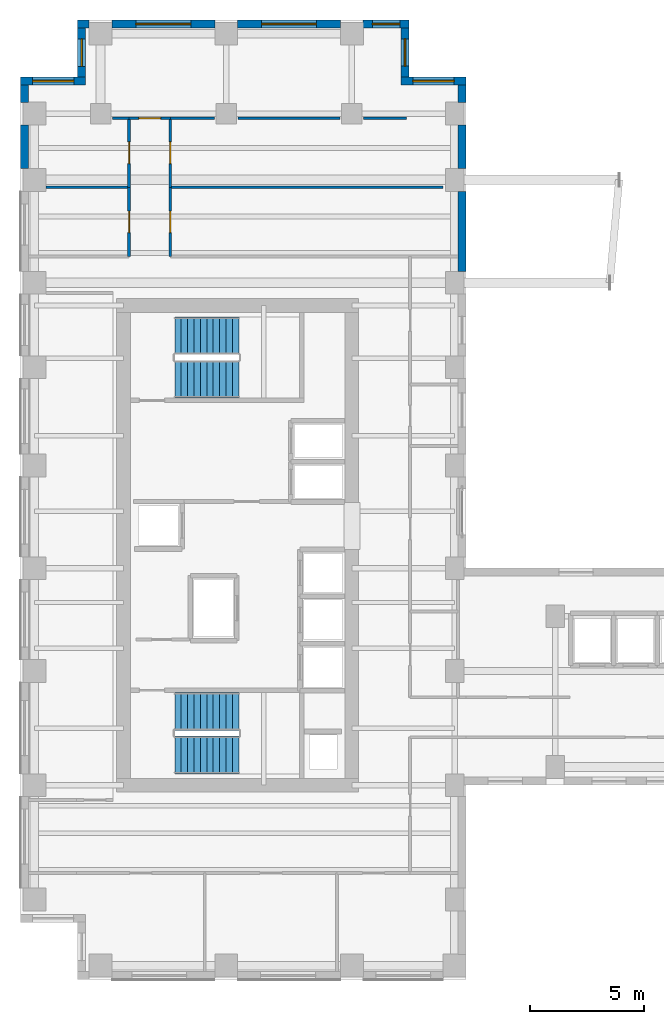
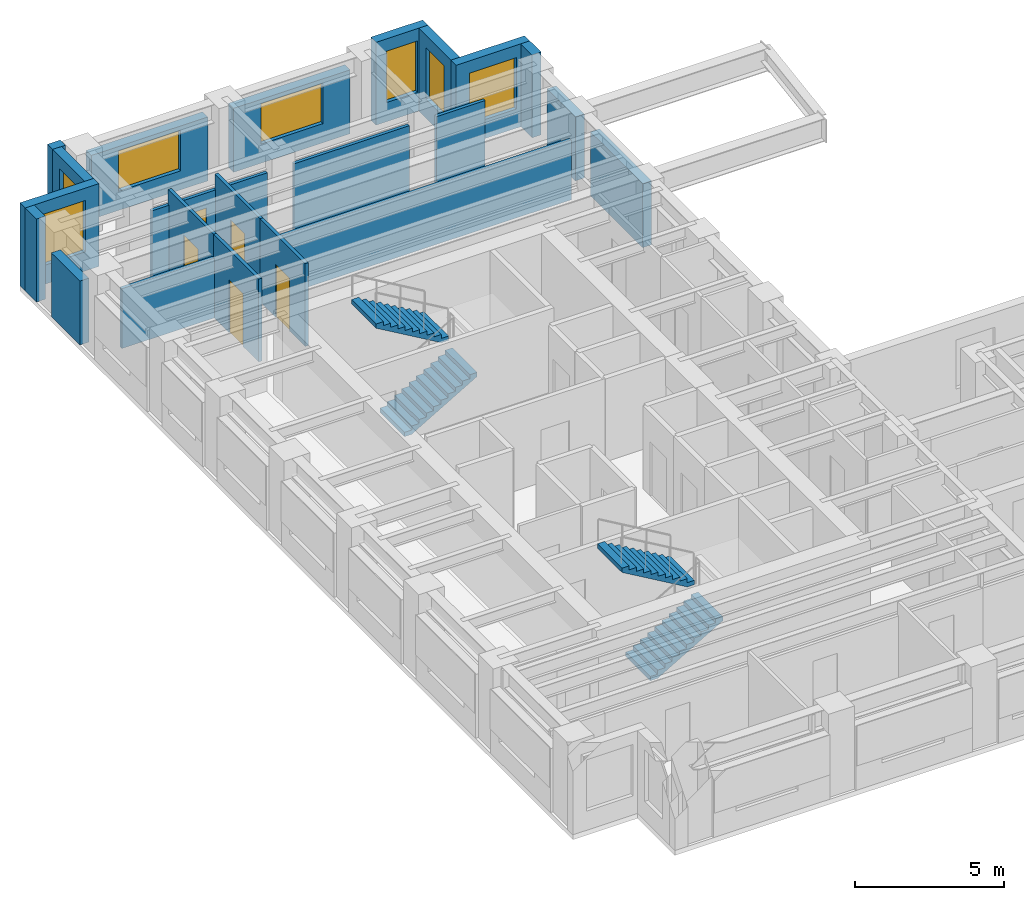
# One storey, part 11 of 14: 24 walls, 7 windows, 5 doors, 4 stair flights, 12 openings, 2 elements without a shape of their own.
"""IFC4 building model written with IfcOpenShell, lengths in metres."""

import ifcopenshell
import ifcopenshell.guid

model = None  # the IFC model being written
_history = None  # IfcOwnerHistory: only IFC2X3 demands one
_inside = {}  # id of a spatial element -> (the spatial element, [elements in it])
_under = {}  # id of a project, library or spatial element -> (it, [spatial elements below it])
_declared = {}  # id of a project -> (the project, [libraries it declares])
_typed = {}  # id of a type object -> (the type object, [elements of that type])
_made_of = {}  # id of a material, layer set ... -> (it, [elements and type objects made of it])


def new_model(schema):
    """Start an empty IFC model of exactly this schema.

    Asked for "IFC4X3", IfcOpenShell would pick the latest addendum, in which some entities
    have other attributes; the version numbers below select the first issue.
    IFC2X3 requires an IfcOwnerHistory on every rooted entity: one is made here for all.
    """
    global model, _history
    if schema == "IFC4X3":
        model = ifcopenshell.file(schema_version=(4, 3, 0, 0))
    else:
        model = ifcopenshell.file(schema=schema)
    _inside.clear()
    _under.clear()
    _declared.clear()
    _typed.clear()
    _made_of.clear()
    _history = None
    if model.schema == "IFC2X3":
        org = make("IfcOrganization", Name="unknown")
        user = make(
            "IfcPersonAndOrganization",
            ThePerson=make("IfcPerson", FamilyName="unknown"),
            TheOrganization=org,
        )
        app = make(
            "IfcApplication",
            ApplicationDeveloper=org,
            Version="unknown",
            ApplicationFullName="unknown",
            ApplicationIdentifier="unknown",
        )
        _history = make(
            "IfcOwnerHistory",
            OwningUser=user,
            OwningApplication=app,
            ChangeAction="ADDED",
            CreationDate=0,
        )
    return model


def make(cls, **values):
    """One entity of the class cls with the attributes given. An attribute that is None is left unset."""
    return model.create_entity(
        cls, **{name: value for name, value in values.items() if value is not None}
    )


def rooted(cls, **values):
    """An entity with a GlobalId (a new one), such as an element, a storey or a relation."""
    return make(cls, GlobalId=ifcopenshell.guid.new(), OwnerHistory=_history, **values)


def si_unit(unit_type, name, prefix=None):
    """IfcSIUnit, for example si_unit("LENGTHUNIT", "METRE", prefix="MILLI")."""
    return make("IfcSIUnit", UnitType=unit_type, Prefix=prefix, Name=name)


def assignment(units):
    """IfcUnitAssignment: the units of a project."""
    return None if units is None else make("IfcUnitAssignment", Units=units)


def point(xyz):
    """IfcCartesianPoint."""
    return None if xyz is None else make("IfcCartesianPoint", Coordinates=xyz)


def direction(xyz):
    """IfcDirection."""
    return None if xyz is None else make("IfcDirection", DirectionRatios=xyz)


def frame(location, z_axis=None, x_axis=None):
    """IfcAxis2Placement3D, a coordinate frame: its origin and axes. An axis left out is left unset."""
    return make(
        "IfcAxis2Placement3D",
        Location=point(location),
        Axis=direction(z_axis),
        RefDirection=direction(x_axis),
    )


def frame_2d(location, x_axis=None):
    """IfcAxis2Placement2D, a coordinate frame in the plane: its origin and x axis."""
    return make(
        "IfcAxis2Placement2D", Location=point(location), RefDirection=direction(x_axis)
    )


def origin():
    """The frame at (0, 0, 0) with its axes left unset."""
    return frame((0.0, 0.0, 0.0))


def place(relative_to, where):
    """IfcLocalPlacement: puts the frame where relative to a parent placement (None: the world)."""
    return make(
        "IfcLocalPlacement", PlacementRelTo=relative_to, RelativePlacement=where
    )


def context(
    kind, dimensions, precision=None, world=None, true_north=None, identifier=None
):
    """IfcGeometricRepresentationContext, for example the 3D "Model" context."""
    return make(
        "IfcGeometricRepresentationContext",
        ContextIdentifier=identifier,
        ContextType=kind,
        CoordinateSpaceDimension=dimensions,
        Precision=precision,
        WorldCoordinateSystem=world,
        TrueNorth=true_north,
    )


def subcontext(parent, identifier, kind, view, scale=None):
    """IfcGeometricRepresentationSubContext, for example "Body" below "Model"."""
    return make(
        "IfcGeometricRepresentationSubContext",
        ContextIdentifier=identifier,
        ContextType=kind,
        ParentContext=parent,
        TargetScale=scale,
        TargetView=view,
    )


def project(units=None, contexts=None):
    """IfcProject with its units and contexts."""
    return rooted(
        "IfcProject",
        Name="project",
        RepresentationContexts=contexts,
        UnitsInContext=assignment(units),
    )


def spatial(cls, under=None, at=None, **own):
    """A site, building, storey or space (cls), placed at a placement, below another one or the project."""
    s = rooted(cls, ObjectPlacement=at, **own)
    if under is not None:
        _under.setdefault(under.id(), (under, []))[1].append(s)
    return s


def polyline(points):
    """IfcPolyline through the points."""
    return make("IfcPolyline", Points=[point(p) for p in points])


def profile(cls, at=None, kind="AREA", **sizes):
    """A parametric profile (cls). Its sizes go by their IFC names, for example OverallWidth=200.0."""
    return make(cls, ProfileType=kind, Position=at, **sizes)


def rectangle(**sizes):
    """IfcRectangleProfileDef."""
    return profile("IfcRectangleProfileDef", **sizes)


def outline(outer, holes=None, kind="AREA"):
    """IfcArbitraryClosedProfileDef: a profile drawn as a closed curve; with holes, ...WithVoids."""
    if holes is None:
        return make("IfcArbitraryClosedProfileDef", ProfileType=kind, OuterCurve=outer)
    return make(
        "IfcArbitraryProfileDefWithVoids",
        ProfileType=kind,
        OuterCurve=outer,
        InnerCurves=holes,
    )


def extrude(swept, where, along, depth):
    """IfcExtrudedAreaSolid: the profile swept, set in the frame where, extruded along a direction by depth."""
    return make(
        "IfcExtrudedAreaSolid",
        SweptArea=swept,
        Position=where,
        ExtrudedDirection=direction(along),
        Depth=depth,
    )


def shape(context_of_items, identifier, shape_type, items):
    """IfcShapeRepresentation: the items that make up one representation, for example the "Body"."""
    return make(
        "IfcShapeRepresentation",
        ContextOfItems=context_of_items,
        RepresentationIdentifier=identifier,
        RepresentationType=shape_type,
        Items=items,
    )


def source(mapping_origin, context_of_items, identifier, shape_type, items):
    """IfcRepresentationMap: a shape defined once, which mapped items show again and again."""
    return make(
        "IfcRepresentationMap",
        MappingOrigin=mapping_origin,
        MappedRepresentation=shape(context_of_items, identifier, shape_type, items),
    )


def transform(
    local_origin,
    x_axis=None,
    y_axis=None,
    z_axis=None,
    scale=None,
    scale2=None,
    scale3=None,
    uniform=True,
):
    """IfcCartesianTransformationOperator3D, or its non-uniform kind. x_axis, y_axis, z_axis: its Axis1, 2, 3."""
    if uniform:
        return make(
            "IfcCartesianTransformationOperator3D",
            Axis1=direction(x_axis),
            Axis2=direction(y_axis),
            LocalOrigin=point(local_origin),
            Scale=scale,
            Axis3=direction(z_axis),
        )
    return make(
        "IfcCartesianTransformationOperator3DnonUniform",
        Axis1=direction(x_axis),
        Axis2=direction(y_axis),
        LocalOrigin=point(local_origin),
        Scale=scale,
        Axis3=direction(z_axis),
        Scale2=scale2,
        Scale3=scale3,
    )


def mapped(mapping_source, mapping_target):
    """IfcMappedItem: shows the shape of a source again, moved by a transform."""
    return make(
        "IfcMappedItem", MappingSource=mapping_source, MappingTarget=mapping_target
    )


def material(Name=None, Category=None):
    """IfcMaterial."""
    return make("IfcMaterial", Name=Name, Category=Category)


def layer(
    of_material, thickness, ventilated=None, Name=None, Category=None, Priority=None
):
    """IfcMaterialLayer: one layer of a wall or slab, of a material (None: an air gap)."""
    return make(
        "IfcMaterialLayer",
        Material=of_material,
        LayerThickness=thickness,
        IsVentilated=ventilated,
        Name=Name,
        Category=Category,
        Priority=Priority,
    )


def layer_set(layers, Name=None):
    """IfcMaterialLayerSet."""
    return make("IfcMaterialLayerSet", MaterialLayers=layers, LayerSetName=Name)


def made_of(thing, what):
    """Note that an element or type object is made of a material, layer set ...; save() writes the relation."""
    if what is not None:
        _made_of.setdefault(what.id(), (what, []))[1].append(thing)
    return thing


def type_object(cls, material=None, **own):
    """A type object (cls), such as IfcWallType, which elements share."""
    return made_of(rooted(cls, **own), material)


def element(
    cls,
    number,
    at=None,
    inside=None,
    cuts=None,
    type_object=None,
    material=None,
    context=None,
    identifier="Body",
    shape_type=None,
    held_by="IfcProductDefinitionShape",
    body=None,
    shapes=None,
    **own,
):
    """One element of the class cls, such as IfcWall. Its Tag is "e" and its number.

    at: its placement. inside: the storey or other place that contains it. cuts: it is an
    opening in that element (IfcRelVoidsElement). A single representation is given by context,
    identifier, shape_type and body (its items); several are given by shapes. held_by: the class
    of the entity that holds the representations. save() writes the other relations.
    """
    e = rooted(cls, Tag="e%d" % number, ObjectPlacement=at, **own)
    if body is not None:
        shapes = [shape(context, identifier, shape_type, body)]
    if shapes is not None:
        e.Representation = make(held_by, Representations=shapes)
    if inside is not None:
        _inside.setdefault(inside.id(), (inside, []))[1].append(e)
    if cuts is not None:
        rooted(
            "IfcRelVoidsElement", RelatingBuildingElement=cuts, RelatedOpeningElement=e
        )
    if type_object is not None:
        _typed.setdefault(type_object.id(), (type_object, []))[1].append(e)
    return made_of(e, material)


def fill(opening, filler):
    """IfcRelFillsElement: the door or window that sits in an opening."""
    return rooted(
        "IfcRelFillsElement",
        RelatingOpeningElement=opening,
        RelatedBuildingElement=filler,
    )


def aggregate(whole, parts):
    """IfcRelAggregates: a whole, such as a stair, and the parts it consists of."""
    return rooted("IfcRelAggregates", RelatingObject=whole, RelatedObjects=parts)


def save(model, path):
    """Write the relations noted so far, then the file.

    IfcRelAggregates (storeys below a building ...), IfcRelContainedInSpatialStructure (elements
    in a storey), IfcRelDefinesByType, IfcRelAssociatesMaterial and IfcRelDeclares: one each for
    every whole, place, type object, material and project.
    """
    for whole, parts in _under.values():
        aggregate(whole, parts)
    for where, things in _inside.values():
        rooted(
            "IfcRelContainedInSpatialStructure",
            RelatedElements=things,
            RelatingStructure=where,
        )
    for kind, things in _typed.values():
        rooted("IfcRelDefinesByType", RelatedObjects=things, RelatingType=kind)
    for what, things in _made_of.values():
        rooted("IfcRelAssociatesMaterial", RelatedObjects=things, RelatingMaterial=what)
    for by, libraries in _declared.values():
        rooted("IfcRelDeclares", RelatingContext=by, RelatedDefinitions=libraries)
    model.write(path)


model = new_model("IFC4")

# Units and contexts
model_context = context("Model", 3, precision=1e-05, world=origin(), true_north=direction((0.0, 1.0)))
body_context = subcontext(model_context, "Body", "Model", "MODEL_VIEW")
ifc_project = project(units=[si_unit("LENGTHUNIT", "METRE"), si_unit("AREAUNIT", "SQUARE_METRE"), si_unit("VOLUMEUNIT", "CUBIC_METRE"), si_unit("PLANEANGLEUNIT", "RADIAN"), si_unit("MASSUNIT", "GRAM", prefix="KILO")], contexts=[model_context])

# Site, building, storey
site_placement = place(None, origin())
site = spatial("IfcSite", under=ifc_project, at=site_placement, CompositionType="ELEMENT")
building_placement = place(site_placement, origin())
building = spatial("IfcBuilding", under=site, at=building_placement, Name="Kharzan Plaza Tower", CompositionType="ELEMENT")
storey_placement = place(building_placement, frame((0.0, 0.0, 168.300048828125)))
storey = spatial("IfcBuildingStorey", under=building, at=storey_placement, Name="L45", CompositionType="ELEMENT", Elevation=168.300048828125)

# Wall, opening, window
ifc_material_1 = material(Name="Concrete C40/50", Category="concrete")
ifc_layer_1 = layer(ifc_material_1, 0.35009765625)
ifc_layer_set_1 = layer_set([ifc_layer_1], Name="Concrete C40/50")
wall_type_1 = type_object("IfcWallType", Name="WL-EXT-MAS-Z3", PredefinedType="SOLIDWALL", material=ifc_layer_set_1)
wall_1_placement = place(storey_placement, frame((19.5, 39.324951171875, 0.0), z_axis=(0.0, 0.0, 1.0), x_axis=(-1.0, 0.0, 0.0)))
wall_1 = element("IfcWall", 1, at=wall_1_placement, inside=storey, type_object=wall_type_1, Name="L45 Masonry-Frame Exterior Wall 01", PredefinedType="SOLIDWALL", context=body_context, shape_type="SweptSolid", body=[
    extrude(rectangle(XDim=2.85009765625, YDim=0.35009765625, at=frame_2d((1.425048828125, 0.0))), origin(), (0.0, 0.0, 1.0), 3.385009765625),
])
opening_1_placement = place(wall_1_placement, frame((0.52490234375, 0.0, 0.780029296875)))
opening_1 = element("IfcOpeningElement", 2, at=opening_1_placement, cuts=wall_1, Name="Opening W1", PredefinedType="OPENING", context=body_context, shape_type="SweptSolid", body=[
    extrude(rectangle(XDim=1.800048828125, YDim=2.10009765625, at=frame_2d((0.89990234375, 1.050048828125))), frame((0.0, 0.18505859375, 0.0), z_axis=(0.0, -1.0, 0.0), x_axis=(1.0, 0.0, 0.0)), (0.0, 0.0, 1.0), 0.3701171875),
])
ifc_material_2 = material(Name="Low-E Double Glazing", Category="glass")
window_type_1 = type_object("IfcWindowType", Name="WN-REC-1800x2100", PartitioningType="SINGLE_PANEL", PredefinedType="WINDOW", material=ifc_material_2)
shared_shape_1 = source(origin(), body_context, "Body", "SweptSolid", [
    extrude(rectangle(XDim=1.800048828125, YDim=2.10009765625, at=frame_2d((0.89990234375, 1.050048828125))), frame((0.0, 0.030029296875, 0.0), z_axis=(0.0, -1.0, 0.0), x_axis=(1.0, 0.0, 0.0)), (0.0, 0.0, 1.0), 0.06005859375),
])
window_1_placement = place(opening_1_placement, origin())
window_1 = element("IfcWindow", 3, at=window_1_placement, inside=storey, type_object=window_type_1, Name="L45 Recessed Solar-Control Window 01-1", OverallHeight=2.10009765625, OverallWidth=1.800048828125, PartitioningType="SINGLE_PANEL", PredefinedType="WINDOW", context=body_context, shape_type="MappedRepresentation", body=[
    mapped(shared_shape_1, transform((0.0, 0.0, 0.0), x_axis=(1.0, 0.0, 0.0), y_axis=(0.0, 1.0, 0.0), z_axis=(0.0, 0.0, 1.0))),
])
fill(opening_1, window_1)

wall_2_placement = place(storey_placement, frame((16.824951171875, 39.498046875, 0.0), z_axis=(0.0, 0.0, 1.0), x_axis=(0.0, 1.0, 0.0)))
wall_2 = element("IfcWall", 4, at=wall_2_placement, inside=storey, type_object=wall_type_1, Name="L45 Masonry-Frame Exterior Wall 02", PredefinedType="SOLIDWALL", context=body_context, shape_type="SweptSolid", body=[
    extrude(rectangle(XDim=2.154052734375, YDim=0.35009765625, at=frame_2d((1.0771484375, 0.0))), origin(), (0.0, 0.0, 1.0), 3.385009765625),
])
opening_2_placement = place(wall_2_placement, frame((0.47705078125, 0.0, 0.780029296875)))
opening_2 = element("IfcOpeningElement", 5, at=opening_2_placement, cuts=wall_2, Name="Opening W3", PredefinedType="OPENING", context=body_context, shape_type="SweptSolid", body=[
    extrude(rectangle(XDim=1.199951171875, YDim=2.10009765625, at=frame_2d((0.60009765625, 1.050048828125))), frame((0.0, 0.18505859375, 0.0), z_axis=(0.0, -1.0, 0.0), x_axis=(1.0, 0.0, 0.0)), (0.0, 0.0, 1.0), 0.3701171875),
])
window_type_2 = type_object("IfcWindowType", Name="WN-REC-1200x2100", PartitioningType="SINGLE_PANEL", PredefinedType="WINDOW", material=ifc_material_2)
shared_shape_2 = source(origin(), body_context, "Body", "SweptSolid", [
    extrude(rectangle(XDim=1.199951171875, YDim=2.10009765625, at=frame_2d((0.60009765625, 1.050048828125))), frame((0.0, 0.030029296875, 0.0), z_axis=(0.0, -1.0, 0.0), x_axis=(1.0, 0.0, 0.0)), (0.0, 0.0, 1.0), 0.06005859375),
])
window_2_placement = place(opening_2_placement, origin())
window_2 = element("IfcWindow", 6, at=window_2_placement, inside=storey, type_object=window_type_2, Name="L45 Recessed Solar-Control Window 02-1", OverallHeight=2.10009765625, OverallWidth=1.199951171875, PartitioningType="SINGLE_PANEL", PredefinedType="WINDOW", context=body_context, shape_type="MappedRepresentation", body=[
    mapped(shared_shape_2, transform((0.0, 0.0, 0.0), x_axis=(1.0, 0.0, 0.0), y_axis=(0.0, 1.0, 0.0), z_axis=(0.0, 0.0, 1.0))),
])
fill(opening_2, window_2)

wall_3_placement = place(storey_placement, frame((17.0, 41.824951171875, 0.0), z_axis=(0.0, 0.0, 1.0), x_axis=(-1.0, 0.0, 0.0)))
wall_3 = element("IfcWall", 7, at=wall_3_placement, inside=storey, type_object=wall_type_1, Name="L45 Masonry-Frame Exterior Wall 03", PredefinedType="SOLIDWALL", context=body_context, shape_type="SweptSolid", body=[
    extrude(rectangle(XDim=2.001953125, YDim=0.35009765625, at=frame_2d((1.0009765625, 0.0))), origin(), (0.0, 0.0, 1.0), 3.385009765625),
])
opening_3_placement = place(wall_3_placement, frame((0.40087890625, 0.0, 0.780029296875)))
opening_3 = element("IfcOpeningElement", 8, at=opening_3_placement, cuts=wall_3, Name="Opening W3", PredefinedType="OPENING", context=body_context, shape_type="SweptSolid", body=[
    extrude(rectangle(XDim=1.199951171875, YDim=2.10009765625, at=frame_2d((0.60009765625, 1.050048828125))), frame((0.0, 0.18505859375, 0.0), z_axis=(0.0, -1.0, 0.0), x_axis=(1.0, 0.0, 0.0)), (0.0, 0.0, 1.0), 0.3701171875),
])
window_3_placement = place(opening_3_placement, origin())
window_3 = element("IfcWindow", 9, at=window_3_placement, inside=storey, type_object=window_type_2, Name="L45 Recessed Solar-Control Window 03-1", OverallHeight=2.10009765625, OverallWidth=1.199951171875, PartitioningType="SINGLE_PANEL", PredefinedType="WINDOW", context=body_context, shape_type="MappedRepresentation", body=[
    mapped(shared_shape_2, transform((0.0, 0.0, 0.0), x_axis=(1.0, 0.0, 0.0), y_axis=(0.0, 1.0, 0.0), z_axis=(0.0, 0.0, 1.0))),
])
fill(opening_3, window_3)

wall_4_placement = place(storey_placement, frame((14.001953125, 41.824951171875, 0.0), z_axis=(0.0, 0.0, 1.0), x_axis=(-1.0, 0.0, 0.0)))
wall_4 = element("IfcWall", 10, at=wall_4_placement, inside=storey, type_object=wall_type_1, Name="L45 Masonry-Frame Exterior Wall 04", PredefinedType="SOLIDWALL", context=body_context, shape_type="SweptSolid", body=[
    extrude(rectangle(XDim=4.50390625, YDim=0.35009765625, at=frame_2d((2.251953125, 0.0))), origin(), (0.0, 0.0, 1.0), 2.612060546875),
])
opening_4_placement = place(wall_4_placement, frame((1.052001953125, 0.0, 0.780029296875)))
opening_4 = element("IfcOpeningElement", 11, at=opening_4_placement, cuts=wall_4, Name="Opening W2", PredefinedType="OPENING", context=body_context, shape_type="SweptSolid", body=[
    extrude(rectangle(XDim=2.39990234375, YDim=1.652099609375, at=frame_2d((1.199951171875, 0.826171875))), frame((0.0, 0.18505859375, 0.0), z_axis=(0.0, -1.0, 0.0), x_axis=(1.0, 0.0, 0.0)), (0.0, 0.0, 1.0), 0.3701171875),
])
window_type_3 = type_object("IfcWindowType", Name="WN-REC-2400x2100", PartitioningType="SINGLE_PANEL", PredefinedType="WINDOW", material=ifc_material_2)
shared_shape_3 = source(origin(), body_context, "Body", "SweptSolid", [
    extrude(rectangle(XDim=2.39990234375, YDim=1.652099609375, at=frame_2d((1.199951171875, 0.826171875))), frame((0.0, 0.030029296875, 0.0), z_axis=(0.0, -1.0, 0.0), x_axis=(1.0, 0.0, 0.0)), (0.0, 0.0, 1.0), 0.06005859375),
])
window_4_placement = place(opening_4_placement, origin())
window_4 = element("IfcWindow", 12, at=window_4_placement, inside=storey, type_object=window_type_3, Name="L45 Wide Recessed Solar-Control Window 04-1", OverallHeight=1.652099609375, OverallWidth=2.39990234375, PartitioningType="SINGLE_PANEL", PredefinedType="WINDOW", context=body_context, shape_type="MappedRepresentation", body=[
    mapped(shared_shape_3, transform((0.0, 0.0, 0.0), x_axis=(1.0, 0.0, 0.0), y_axis=(0.0, 1.0, 0.0), z_axis=(0.0, 0.0, 1.0))),
])
fill(opening_4, window_4)

wall_5_placement = place(storey_placement, frame((8.501953125, 41.824951171875, 0.0), z_axis=(0.0, 0.0, 1.0), x_axis=(-1.0, 0.0, 0.0)))
wall_5 = element("IfcWall", 13, at=wall_5_placement, inside=storey, type_object=wall_type_1, Name="L45 Masonry-Frame Exterior Wall 05", PredefinedType="SOLIDWALL", context=body_context, shape_type="SweptSolid", body=[
    extrude(rectangle(XDim=4.50390625, YDim=0.35009765625, at=frame_2d((2.251953125, 0.0))), origin(), (0.0, 0.0, 1.0), 2.612060546875),
])
opening_5_placement = place(wall_5_placement, frame((1.052001953125, 0.0, 0.780029296875)))
opening_5 = element("IfcOpeningElement", 14, at=opening_5_placement, cuts=wall_5, Name="Opening W2", PredefinedType="OPENING", context=body_context, shape_type="SweptSolid", body=[
    extrude(rectangle(XDim=2.39990234375, YDim=1.652099609375, at=frame_2d((1.199951171875, 0.826171875))), frame((0.0, 0.18505859375, 0.0), z_axis=(0.0, -1.0, 0.0), x_axis=(1.0, 0.0, 0.0)), (0.0, 0.0, 1.0), 0.3701171875),
])
window_5_placement = place(opening_5_placement, origin())
window_5 = element("IfcWindow", 15, at=window_5_placement, inside=storey, type_object=window_type_3, Name="L45 Wide Recessed Solar-Control Window 05-1", OverallHeight=1.652099609375, OverallWidth=2.39990234375, PartitioningType="SINGLE_PANEL", PredefinedType="WINDOW", context=body_context, shape_type="MappedRepresentation", body=[
    mapped(shared_shape_3, transform((0.0, 0.0, 0.0), x_axis=(1.0, 0.0, 0.0), y_axis=(0.0, 1.0, 0.0), z_axis=(0.0, 0.0, 1.0))),
])
fill(opening_5, window_5)

wall_6_placement = place(storey_placement, frame((2.675048828125, 41.652099609375, 0.0), z_axis=(0.0, 0.0, 1.0), x_axis=(0.0, -1.0, 0.0)))
wall_6 = element("IfcWall", 16, at=wall_6_placement, inside=storey, type_object=wall_type_1, Name="L45 Masonry-Frame Exterior Wall 07", PredefinedType="SOLIDWALL", context=body_context, shape_type="SweptSolid", body=[
    extrude(rectangle(XDim=2.154052734375, YDim=0.35009765625, at=frame_2d((1.0771484375, 0.0))), origin(), (0.0, 0.0, 1.0), 3.385009765625),
])
opening_6_placement = place(wall_6_placement, frame((0.47705078125, 0.0, 0.780029296875)))
opening_6 = element("IfcOpeningElement", 17, at=opening_6_placement, cuts=wall_6, Name="Opening W3", PredefinedType="OPENING", context=body_context, shape_type="SweptSolid", body=[
    extrude(rectangle(XDim=1.199951171875, YDim=2.10009765625, at=frame_2d((0.60009765625, 1.050048828125))), frame((0.0, 0.18505859375, 0.0), z_axis=(0.0, -1.0, 0.0), x_axis=(1.0, 0.0, 0.0)), (0.0, 0.0, 1.0), 0.3701171875),
])
window_6_placement = place(opening_6_placement, origin())
window_6 = element("IfcWindow", 18, at=window_6_placement, inside=storey, type_object=window_type_2, Name="L45 Recessed Solar-Control Window 07-1", OverallHeight=2.10009765625, OverallWidth=1.199951171875, PartitioningType="SINGLE_PANEL", PredefinedType="WINDOW", context=body_context, shape_type="MappedRepresentation", body=[
    mapped(shared_shape_2, transform((0.0, 0.0, 0.0), x_axis=(1.0, 0.0, 0.0), y_axis=(0.0, 1.0, 0.0), z_axis=(0.0, 0.0, 1.0))),
])
fill(opening_6, window_6)

wall_7_placement = place(storey_placement, frame((2.85009765625, 39.324951171875, 0.0), z_axis=(0.0, 0.0, 1.0), x_axis=(-1.0, 0.0, 0.0)))
wall_7 = element("IfcWall", 19, at=wall_7_placement, inside=storey, type_object=wall_type_1, Name="L45 Masonry-Frame Exterior Wall 08", PredefinedType="SOLIDWALL", context=body_context, shape_type="SweptSolid", body=[
    extrude(rectangle(XDim=2.85009765625, YDim=0.35009765625, at=frame_2d((1.425048828125, 0.0))), origin(), (0.0, 0.0, 1.0), 3.385009765625),
])
opening_7_placement = place(wall_7_placement, frame((0.52490234375, 0.0, 0.780029296875)))
opening_7 = element("IfcOpeningElement", 20, at=opening_7_placement, cuts=wall_7, Name="Opening W1", PredefinedType="OPENING", context=body_context, shape_type="SweptSolid", body=[
    extrude(rectangle(XDim=1.800048828125, YDim=2.10009765625, at=frame_2d((0.89990234375, 1.050048828125))), frame((0.0, 0.18505859375, 0.0), z_axis=(0.0, -1.0, 0.0), x_axis=(1.0, 0.0, 0.0)), (0.0, 0.0, 1.0), 0.3701171875),
])
window_7_placement = place(opening_7_placement, origin())
window_7 = element("IfcWindow", 21, at=window_7_placement, inside=storey, type_object=window_type_1, Name="L45 Recessed Solar-Control Window 08-1", OverallHeight=2.10009765625, OverallWidth=1.800048828125, PartitioningType="SINGLE_PANEL", PredefinedType="WINDOW", context=body_context, shape_type="MappedRepresentation", body=[
    mapped(shared_shape_1, transform((0.0, 0.0, 0.0), x_axis=(1.0, 0.0, 0.0), y_axis=(0.0, 1.0, 0.0), z_axis=(0.0, 0.0, 1.0))),
])
fill(opening_7, window_7)

# Wall, opening, door
ifc_material_3 = material(Name="Fire-Rated Gypsum Board Partition", Category="gypsum")
ifc_layer_2 = layer(ifc_material_3, 0.125)
ifc_layer_set_2 = layer_set([ifc_layer_2], Name="Fire-Rated Gypsum Board Partition")
wall_type_2 = type_object("IfcWallType", Name="WL-INT-PART-125", PredefinedType="PARTITIONING", material=ifc_layer_set_2)
wall_8_placement = place(storey_placement, frame((6.550048828125, 31.64990234375, 0.0), z_axis=(0.0, 0.0, 1.0), x_axis=(0.0, 1.0, 0.0)))
wall_8 = element("IfcWall", 22, at=wall_8_placement, inside=storey, type_object=wall_type_2, Name="L45 Interior Partition SH-SPE-1", PredefinedType="PARTITIONING", context=body_context, shape_type="SweptSolid", body=[
    extrude(rectangle(XDim=3.025146484375, YDim=0.125, at=frame_2d((1.5126953125, 0.0))), origin(), (0.0, 0.0, 1.0), 3.385009765625),
])
opening_8_placement = place(wall_8_placement, frame((1.03759765625, 0.0, 0.0)))
opening_8 = element("IfcOpeningElement", 23, at=opening_8_placement, cuts=wall_8, Name="Opening OD1", PredefinedType="OPENING", context=body_context, shape_type="SweptSolid", body=[
    extrude(rectangle(XDim=0.949951171875, YDim=2.14990234375, at=frame_2d((0.47509765625, 1.074951171875))), frame((0.0, 0.072509765625, 0.0), z_axis=(0.0, -1.0, 0.0), x_axis=(1.0, 0.0, 0.0)), (0.0, 0.0, 1.0), 0.14501953125),
])
ifc_material_4 = material(Name="Acoustic Solid-Core Stained Oak", Category="timber")
door_type = type_object("IfcDoorType", Name="DR-OFF-SINGLE", OperationType="NOTDEFINED", PredefinedType="DOOR", material=ifc_material_4)
shared_shape_4 = source(origin(), body_context, "Body", "SweptSolid", [
    extrude(rectangle(XDim=0.949951171875, YDim=2.14990234375, at=frame_2d((0.47509765625, 1.074951171875))), frame((0.0, 0.02490234375, 0.0), z_axis=(0.0, -1.0, 0.0), x_axis=(1.0, 0.0, 0.0)), (0.0, 0.0, 1.0), 0.050048828125),
])
door_1_placement = place(opening_8_placement, origin())
door_1 = element("IfcDoor", 24, at=door_1_placement, inside=storey, type_object=door_type, Name="L45 Maritime Simulation Studio Door", OperationType="SINGLE_SWING_RIGHT", OverallHeight=2.14990234375, OverallWidth=0.949951171875, PredefinedType="DOOR", context=body_context, shape_type="MappedRepresentation", body=[
    mapped(shared_shape_4, transform((0.0, 0.0, 0.0), x_axis=(1.0, 0.0, 0.0), y_axis=(0.0, 1.0, 0.0), z_axis=(0.0, 0.0, 1.0))),
])
fill(opening_8, door_1)

wall_9_placement = place(storey_placement, frame((6.550048828125, 34.675048828125, 0.0), z_axis=(0.0, 0.0, 1.0), x_axis=(0.0, 1.0, 0.0)))
wall_9 = element("IfcWall", 25, at=wall_9_placement, inside=storey, type_object=wall_type_2, Name="L45 Interior Partition SH-SPE-2", PredefinedType="PARTITIONING", context=body_context, shape_type="SweptSolid", body=[
    extrude(rectangle(XDim=3.02490234375, YDim=0.125, at=frame_2d((1.512451171875, 0.0))), origin(), (0.0, 0.0, 1.0), 3.385009765625),
])
opening_9_placement = place(wall_9_placement, frame((1.03759765625, 0.0, 0.0)))
opening_9 = element("IfcOpeningElement", 26, at=opening_9_placement, cuts=wall_9, Name="Opening OD1", PredefinedType="OPENING", context=body_context, shape_type="SweptSolid", body=[
    extrude(rectangle(XDim=0.949951171875, YDim=2.14990234375, at=frame_2d((0.47509765625, 1.074951171875))), frame((0.0, 0.072509765625, 0.0), z_axis=(0.0, -1.0, 0.0), x_axis=(1.0, 0.0, 0.0)), (0.0, 0.0, 1.0), 0.14501953125),
])
door_2_placement = place(opening_9_placement, origin())
door_2 = element("IfcDoor", 27, at=door_2_placement, inside=storey, type_object=door_type, Name="L45 Maritime Simulation Studio Door", OperationType="SINGLE_SWING_LEFT", OverallHeight=2.14990234375, OverallWidth=0.949951171875, PredefinedType="DOOR", context=body_context, shape_type="MappedRepresentation", body=[
    mapped(shared_shape_4, transform((0.0, 0.0, 0.0), x_axis=(1.0, 0.0, 0.0), y_axis=(0.0, 1.0, 0.0), z_axis=(0.0, 0.0, 1.0))),
])
fill(opening_9, door_2)

wall_10_placement = place(storey_placement, frame((4.75, 37.699951171875, 0.0), z_axis=(0.0, 0.0, 1.0), x_axis=(1.0, 0.0, 0.0)))
wall_10 = element("IfcWall", 28, at=wall_10_placement, inside=storey, type_object=wall_type_2, Name="L45 Interior Partition SH-SPHD", PredefinedType="PARTITIONING", context=body_context, shape_type="SweptSolid", body=[
    extrude(rectangle(XDim=1.800048828125, YDim=0.125, at=frame_2d((0.89990234375, 0.0))), origin(), (0.0, 0.0, 1.0), 2.77294921875),
])
opening_10_placement = place(wall_10_placement, frame((0.425048828125, 0.0, 0.0)))
opening_10 = element("IfcOpeningElement", 29, at=opening_10_placement, cuts=wall_10, Name="Opening OD1", PredefinedType="OPENING", context=body_context, shape_type="SweptSolid", body=[
    extrude(rectangle(XDim=0.949951171875, YDim=2.14990234375, at=frame_2d((0.47509765625, 1.074951171875))), frame((0.0, 0.072509765625, 0.0), z_axis=(0.0, -1.0, 0.0), x_axis=(1.0, 0.0, 0.0)), (0.0, 0.0, 1.0), 0.14501953125),
])
door_3_placement = place(opening_10_placement, origin())
door_3 = element("IfcDoor", 30, at=door_3_placement, inside=storey, type_object=door_type, Name="L45 North Boardroom Door", OperationType="SINGLE_SWING_RIGHT", OverallHeight=2.14990234375, OverallWidth=0.949951171875, PredefinedType="DOOR", context=body_context, shape_type="MappedRepresentation", body=[
    mapped(shared_shape_4, transform((0.0, 0.0, 0.0), x_axis=(1.0, 0.0, 0.0), y_axis=(0.0, 1.0, 0.0), z_axis=(0.0, 0.0, 1.0))),
])
fill(opening_10, door_3)

wall_11_placement = place(storey_placement, frame((4.75, 31.64990234375, 0.0), z_axis=(0.0, 0.0, 1.0), x_axis=(0.0, 1.0, 0.0)))
wall_11 = element("IfcWall", 31, at=wall_11_placement, inside=storey, type_object=wall_type_2, Name="L45 Interior Partition SH-SPW-1", PredefinedType="PARTITIONING", context=body_context, shape_type="SweptSolid", body=[
    extrude(rectangle(XDim=3.025146484375, YDim=0.125, at=frame_2d((1.5126953125, 0.0))), origin(), (0.0, 0.0, 1.0), 3.385009765625),
])
opening_11_placement = place(wall_11_placement, frame((1.03759765625, 0.0, 0.0)))
opening_11 = element("IfcOpeningElement", 32, at=opening_11_placement, cuts=wall_11, Name="Opening OD1", PredefinedType="OPENING", context=body_context, shape_type="SweptSolid", body=[
    extrude(rectangle(XDim=0.949951171875, YDim=2.14990234375, at=frame_2d((0.47509765625, 1.074951171875))), frame((0.0, 0.072509765625, 0.0), z_axis=(0.0, -1.0, 0.0), x_axis=(1.0, 0.0, 0.0)), (0.0, 0.0, 1.0), 0.14501953125),
])
door_4_placement = place(opening_11_placement, origin())
door_4 = element("IfcDoor", 33, at=door_4_placement, inside=storey, type_object=door_type, Name="L45 Staff Tea Pantry Door", OperationType="SINGLE_SWING_RIGHT", OverallHeight=2.14990234375, OverallWidth=0.949951171875, PredefinedType="DOOR", context=body_context, shape_type="MappedRepresentation", body=[
    mapped(shared_shape_4, transform((0.0, 0.0, 0.0), x_axis=(1.0, 0.0, 0.0), y_axis=(0.0, 1.0, 0.0), z_axis=(0.0, 0.0, 1.0))),
])
fill(opening_11, door_4)

wall_12_placement = place(storey_placement, frame((4.75, 34.675048828125, 0.0), z_axis=(0.0, 0.0, 1.0), x_axis=(0.0, 1.0, 0.0)))
wall_12 = element("IfcWall", 34, at=wall_12_placement, inside=storey, type_object=wall_type_2, Name="L45 Interior Partition SH-SPW-2", PredefinedType="PARTITIONING", context=body_context, shape_type="SweptSolid", body=[
    extrude(rectangle(XDim=3.02490234375, YDim=0.125, at=frame_2d((1.512451171875, 0.0))), origin(), (0.0, 0.0, 1.0), 3.385009765625),
])
opening_12_placement = place(wall_12_placement, frame((1.03759765625, 0.0, 0.0)))
opening_12 = element("IfcOpeningElement", 35, at=opening_12_placement, cuts=wall_12, Name="Opening OD1", PredefinedType="OPENING", context=body_context, shape_type="SweptSolid", body=[
    extrude(rectangle(XDim=0.949951171875, YDim=2.14990234375, at=frame_2d((0.47509765625, 1.074951171875))), frame((0.0, 0.072509765625, 0.0), z_axis=(0.0, -1.0, 0.0), x_axis=(1.0, 0.0, 0.0)), (0.0, 0.0, 1.0), 0.14501953125),
])
door_5_placement = place(opening_12_placement, origin())
door_5 = element("IfcDoor", 36, at=door_5_placement, inside=storey, type_object=door_type, Name="L45 Staff Tea Pantry Door", OperationType="SINGLE_SWING_LEFT", OverallHeight=2.14990234375, OverallWidth=0.949951171875, PredefinedType="DOOR", context=body_context, shape_type="MappedRepresentation", body=[
    mapped(shared_shape_4, transform((0.0, 0.0, 0.0), x_axis=(1.0, 0.0, 0.0), y_axis=(0.0, 1.0, 0.0), z_axis=(0.0, 0.0, 1.0))),
])
fill(opening_12, door_5)

# Walls
shared_shape_5 = source(origin(), body_context, "Body", "SweptSolid", [
    extrude(rectangle(XDim=0.501953125, YDim=0.35009765625, at=frame_2d((0.2509765625, 0.0))), origin(), (0.0, 0.0, 1.0), 3.385009765625),
])
wall_13_placement = place(storey_placement, frame((3.001953125, 41.824951171875, 0.0), z_axis=(0.0, 0.0, 1.0), x_axis=(-1.0, 0.0, 0.0)))
element("IfcWall", 37, at=wall_13_placement, inside=storey, type_object=wall_type_1, Name="L45 Masonry-Frame Exterior Wall 06", PredefinedType="SOLIDWALL", context=body_context, shape_type="MappedRepresentation", body=[
    mapped(shared_shape_5, transform((0.0, 0.0, 0.0), x_axis=(1.0, 0.0, 0.0), y_axis=(0.0, 1.0, 0.0), z_axis=(0.0, 0.0, 1.0))),
])
shared_shape_6 = source(origin(), body_context, "Body", "SweptSolid", [
    extrude(rectangle(XDim=0.754150390625, YDim=0.35009765625, at=frame_2d((0.376953125, 0.0))), origin(), (0.0, 0.0, 1.0), 3.385009765625),
])
for number, where, z_axis, x_axis, name in (
    (38, (0.175048828125, 39.152099609375, 0.0), (0.0, 0.0, 1.0), (0.0, -1.0, 0.0), "L45 Masonry-Frame Exterior Wall 09"),
    (39, (19.324951171875, 38.39794921875, 0.0), (0.0, 0.0, 1.0), (0.0, 1.0, 0.0), "L45 Masonry-Frame Exterior Wall 53"),
):
    element("IfcWall", number, at=place(storey_placement, frame(where, z_axis=z_axis, x_axis=x_axis)), inside=storey, type_object=wall_type_1, Name=name, PredefinedType="SOLIDWALL", context=body_context, shape_type="MappedRepresentation", body=[
        mapped(shared_shape_6, transform((0.0, 0.0, 0.0), x_axis=(1.0, 0.0, 0.0), y_axis=(0.0, 1.0, 0.0), z_axis=(0.0, 0.0, 1.0))),
    ])
shared_shape_7 = source(origin(), body_context, "Body", "SweptSolid", [
    extrude(rectangle(XDim=1.929931640625, YDim=0.125, at=frame_2d((0.96484375, 0.0))), origin(), (0.0, 0.0, 1.0), 2.77294921875),
])
wall_14_placement = place(storey_placement, frame((6.550048828125, 37.699951171875, 0.0), z_axis=(0.0, 0.0, 1.0), x_axis=(1.0, 0.0, 0.0)))
element("IfcWall", 40, at=wall_14_placement, inside=storey, type_object=wall_type_2, Name="L45 Interior Partition SH-SPHE-S1", PredefinedType="PARTITIONING", context=body_context, shape_type="MappedRepresentation", body=[
    mapped(shared_shape_7, transform((0.0, 0.0, 0.0), x_axis=(1.0, 0.0, 0.0), y_axis=(0.0, 1.0, 0.0), z_axis=(0.0, 0.0, 1.0))),
])
shared_shape_8 = source(origin(), body_context, "Body", "SweptSolid", [
    extrude(rectangle(XDim=4.4599609375, YDim=0.125, at=frame_2d((2.22998046875, 0.0))), origin(), (0.0, 0.0, 1.0), 2.77294921875),
])
wall_15_placement = place(storey_placement, frame((9.52001953125, 37.699951171875, 0.0), z_axis=(0.0, 0.0, 1.0), x_axis=(1.0, 0.0, 0.0)))
element("IfcWall", 41, at=wall_15_placement, inside=storey, type_object=wall_type_2, Name="L45 Interior Partition SH-SPHE-S2", PredefinedType="PARTITIONING", context=body_context, shape_type="MappedRepresentation", body=[
    mapped(shared_shape_8, transform((0.0, 0.0, 0.0), x_axis=(1.0, 0.0, 0.0), y_axis=(0.0, 1.0, 0.0), z_axis=(0.0, 0.0, 1.0))),
])
shared_shape_9 = source(origin(), body_context, "Body", "SweptSolid", [
    extrude(rectangle(XDim=1.8798828125, YDim=0.125, at=frame_2d((0.93994140625, 0.0))), origin(), (0.0, 0.0, 1.0), 2.77294921875),
])
wall_16_placement = place(storey_placement, frame((15.02001953125, 37.699951171875, 0.0), z_axis=(0.0, 0.0, 1.0), x_axis=(1.0, 0.0, 0.0)))
element("IfcWall", 42, at=wall_16_placement, inside=storey, type_object=wall_type_2, Name="L45 Interior Partition SH-SPHE-S3", PredefinedType="PARTITIONING", context=body_context, shape_type="MappedRepresentation", body=[
    mapped(shared_shape_9, transform((0.0, 0.0, 0.0), x_axis=(1.0, 0.0, 0.0), y_axis=(0.0, 1.0, 0.0), z_axis=(0.0, 0.0, 1.0))),
])
shared_shape_10 = source(origin(), body_context, "Body", "SweptSolid", [
    extrude(rectangle(XDim=0.72998046875, YDim=0.125, at=frame_2d((0.364990234375, 0.0))), origin(), (0.0, 0.0, 1.0), 2.77294921875),
])
wall_17_placement = place(storey_placement, frame((4.02001953125, 37.699951171875, 0.0), z_axis=(0.0, 0.0, 1.0), x_axis=(1.0, 0.0, 0.0)))
element("IfcWall", 43, at=wall_17_placement, inside=storey, type_object=wall_type_2, Name="L45 Interior Partition SH-SPHW", PredefinedType="PARTITIONING", context=body_context, shape_type="MappedRepresentation", body=[
    mapped(shared_shape_10, transform((0.0, 0.0, 0.0), x_axis=(1.0, 0.0, 0.0), y_axis=(0.0, 1.0, 0.0), z_axis=(0.0, 0.0, 1.0))),
])
shared_shape_11 = source(origin(), body_context, "Body", "SweptSolid", [
    extrude(rectangle(XDim=1.904052734375, YDim=0.35009765625, at=frame_2d((0.9521484375, 0.0))), origin(), (0.0, 0.0, 1.0), 2.612060546875),
])
for number, where, z_axis, x_axis, name in (
    (44, (0.175048828125, 37.402099609375, 0.0), (0.0, 0.0, 1.0), (0.0, -1.0, 0.0), "L45 Masonry-Frame Exterior Wall 10"),
    (45, (19.324951171875, 35.498046875, 0.0), (0.0, 0.0, 1.0), (0.0, 1.0, 0.0), "L45 Masonry-Frame Exterior Wall 52"),
):
    element("IfcWall", number, at=place(storey_placement, frame(where, z_axis=z_axis, x_axis=x_axis)), inside=storey, type_object=wall_type_1, Name=name, PredefinedType="SOLIDWALL", context=body_context, shape_type="MappedRepresentation", body=[
        mapped(shared_shape_11, transform((0.0, 0.0, 0.0), x_axis=(1.0, 0.0, 0.0), y_axis=(0.0, 1.0, 0.0), z_axis=(0.0, 0.0, 1.0))),
    ])
shared_shape_12 = source(origin(), body_context, "Body", "SweptSolid", [
    extrude(rectangle(XDim=3.50390625, YDim=0.35009765625, at=frame_2d((1.751953125, 0.0))), origin(), (0.0, 0.0, 1.0), 2.612060546875),
])
wall_18_placement = place(storey_placement, frame((19.324951171875, 30.998046875, 0.0), z_axis=(0.0, 0.0, 1.0), x_axis=(0.0, 1.0, 0.0)))
element("IfcWall", 46, at=wall_18_placement, inside=storey, type_object=wall_type_1, Name="L45 Masonry-Frame Exterior Wall 51", PredefinedType="SOLIDWALL", context=body_context, shape_type="MappedRepresentation", body=[
    mapped(shared_shape_12, transform((0.0, 0.0, 0.0), x_axis=(1.0, 0.0, 0.0), y_axis=(0.0, 1.0, 0.0), z_axis=(0.0, 0.0, 1.0))),
])
shared_shape_13 = source(origin(), body_context, "Body", "SweptSolid", [
    extrude(rectangle(XDim=11.929931640625, YDim=0.125, at=frame_2d((5.96484375, 0.0))), origin(), (0.0, 0.0, 1.0), 2.447998046875),
])
wall_19_placement = place(storey_placement, frame((6.550048828125, 34.675048828125, 0.0), z_axis=(0.0, 0.0, 1.0), x_axis=(1.0, 0.0, 0.0)))
element("IfcWall", 47, at=wall_19_placement, inside=storey, type_object=wall_type_2, Name="L45 Interior Partition SH-NEH-1", PredefinedType="PARTITIONING", context=body_context, shape_type="MappedRepresentation", body=[
    mapped(shared_shape_13, transform((0.0, 0.0, 0.0), x_axis=(1.0, 0.0, 0.0), y_axis=(0.0, 1.0, 0.0), z_axis=(0.0, 0.0, 1.0))),
])
shared_shape_14 = source(origin(), body_context, "Body", "SweptSolid", [
    extrude(rectangle(XDim=3.6298828125, YDim=0.125, at=frame_2d((1.81494140625, 0.0))), origin(), (0.0, 0.0, 1.0), 2.447998046875),
])
wall_20_placement = place(storey_placement, frame((1.1201171875, 34.675048828125, 0.0), z_axis=(0.0, 0.0, 1.0), x_axis=(1.0, 0.0, 0.0)))
element("IfcWall", 48, at=wall_20_placement, inside=storey, type_object=wall_type_2, Name="L45 Interior Partition SH-NWH-1", PredefinedType="PARTITIONING", context=body_context, shape_type="MappedRepresentation", body=[
    mapped(shared_shape_14, transform((0.0, 0.0, 0.0), x_axis=(1.0, 0.0, 0.0), y_axis=(0.0, 1.0, 0.0), z_axis=(0.0, 0.0, 1.0))),
])

# Stair, stair flights
stair_type_1 = type_object("IfcStairType", Name="STR-ST-1", PredefinedType="HALF_TURN_STAIR", material=ifc_material_1)
stair_1_placement = place(storey_placement, origin())
stair_1 = element("IfcStair", 49, at=stair_1_placement, inside=storey, type_object=stair_type_1, Name="L45 Protected Exit Stair ST-1", PredefinedType="HALF_TURN_STAIR")
stair_flight_type = type_object("IfcStairFlightType", Name="SFL-1650-R173", PredefinedType="STRAIGHT", material=ifc_material_1)
shared_shape_15 = source(origin(), body_context, "Body", "SweptSolid", [
    extrude(outline(polyline([(-0.0029296875, -0.011962890625), (-0.0029296875, 0.0), (0.0, 0.0), (0.0, 0.16357421875), (0.280029296875, 0.16357421875), (0.280029296875, 0.3271484375), (0.56005859375, 0.3271484375), (0.56005859375, 0.49072265625), (0.840087890625, 0.49072265625), (0.840087890625, 0.654296875), (1.1201171875, 0.654296875), (1.1201171875, 0.81787109375), (1.400146484375, 0.81787109375), (1.400146484375, 0.9814453125), (1.68017578125, 0.9814453125), (1.68017578125, 1.14501953125), (1.960205078125, 1.14501953125), (1.960205078125, 1.30859375), (2.240234375, 1.30859375), (2.240234375, 1.47216796875), (2.520263671875, 1.47216796875), (2.520263671875, 1.6357421875), (2.80029296875, 1.6357421875), (2.80029296875, 1.79931640625), (2.80029296875, 1.462158203125), (0.297119140625, 0.0), (0.297119140625, -0.011962890625), (-0.0029296875, -0.011962890625)])), frame((0.0, 0.824951171875, 0.0), z_axis=(0.0, -1.0, 0.0), x_axis=(1.0, 0.0, 0.0)), (0.0, 0.0, 1.0), 1.64990234375),
])
stair_flight_1_placement = place(storey_placement, frame((6.75, 9.824951171875, 0.0), z_axis=(0.0, 0.0, 1.0), x_axis=(1.0, 0.0, 0.0)))
stair_flight_1 = element("IfcStairFlight", 50, at=stair_flight_1_placement, type_object=stair_flight_type, Name="ST-1 flight 1", NumberOfRisers=11, NumberOfTreads=10, PredefinedType="STRAIGHT", RiserHeight=0.163636364, TreadLength=0.28, context=body_context, shape_type="MappedRepresentation", body=[
    mapped(shared_shape_15, transform((0.0, 0.0, 0.0), x_axis=(1.0, 0.0, 0.0), y_axis=(0.0, 1.0, 0.0), z_axis=(0.0, 0.0, 1.0))),
])
stair_flight_2_placement = place(storey_placement, frame((9.550048828125, 11.72509765625, 1.800048828125), z_axis=(0.0, 0.0, 1.0), x_axis=(-1.0, 0.0, 0.0)))
stair_flight_2 = element("IfcStairFlight", 51, at=stair_flight_2_placement, type_object=stair_flight_type, Name="ST-1 flight 2", NumberOfRisers=11, NumberOfTreads=10, PredefinedType="STRAIGHT", RiserHeight=0.163636364, TreadLength=0.28, context=body_context, shape_type="MappedRepresentation", body=[
    mapped(shared_shape_15, transform((0.0, 0.0, 0.0), x_axis=(1.0, 0.0, 0.0), y_axis=(0.0, 1.0, 0.0), z_axis=(0.0, 0.0, 1.0))),
])
aggregate(stair_1, [stair_flight_1, stair_flight_2])

stair_type_2 = type_object("IfcStairType", Name="STR-ST-2", PredefinedType="HALF_TURN_STAIR", material=ifc_material_1)
stair_2_placement = place(storey_placement, origin())
stair_2 = element("IfcStair", 52, at=stair_2_placement, inside=storey, type_object=stair_type_2, Name="L45 Protected Exit Stair ST-2", PredefinedType="HALF_TURN_STAIR")
stair_flight_3_placement = place(storey_placement, frame((6.75, 26.27490234375, 0.0), z_axis=(0.0, 0.0, 1.0), x_axis=(1.0, 0.0, 0.0)))
stair_flight_3 = element("IfcStairFlight", 53, at=stair_flight_3_placement, type_object=stair_flight_type, Name="ST-2 flight 1", NumberOfRisers=11, NumberOfTreads=10, PredefinedType="STRAIGHT", RiserHeight=0.163636364, TreadLength=0.28, context=body_context, shape_type="MappedRepresentation", body=[
    mapped(shared_shape_15, transform((0.0, 0.0, 0.0), x_axis=(1.0, 0.0, 0.0), y_axis=(0.0, 1.0, 0.0), z_axis=(0.0, 0.0, 1.0))),
])
stair_flight_4_placement = place(storey_placement, frame((9.550048828125, 28.175048828125, 1.800048828125), z_axis=(0.0, 0.0, 1.0), x_axis=(-1.0, 0.0, 0.0)))
stair_flight_4 = element("IfcStairFlight", 54, at=stair_flight_4_placement, type_object=stair_flight_type, Name="ST-2 flight 2", NumberOfRisers=11, NumberOfTreads=10, PredefinedType="STRAIGHT", RiserHeight=0.163636364, TreadLength=0.28, context=body_context, shape_type="MappedRepresentation", body=[
    mapped(shared_shape_15, transform((0.0, 0.0, 0.0), x_axis=(1.0, 0.0, 0.0), y_axis=(0.0, 1.0, 0.0), z_axis=(0.0, 0.0, 1.0))),
])
aggregate(stair_2, [stair_flight_3, stair_flight_4])

save(model, "model.ifc")
